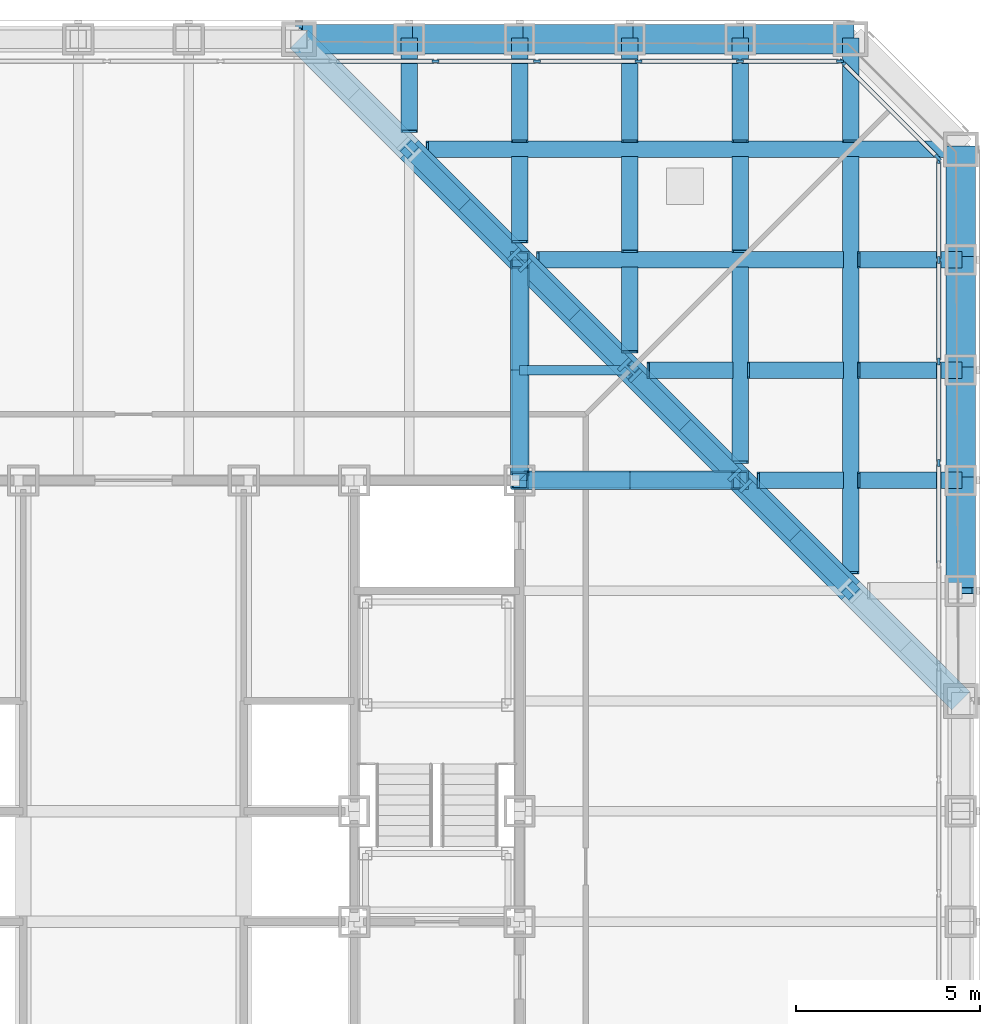
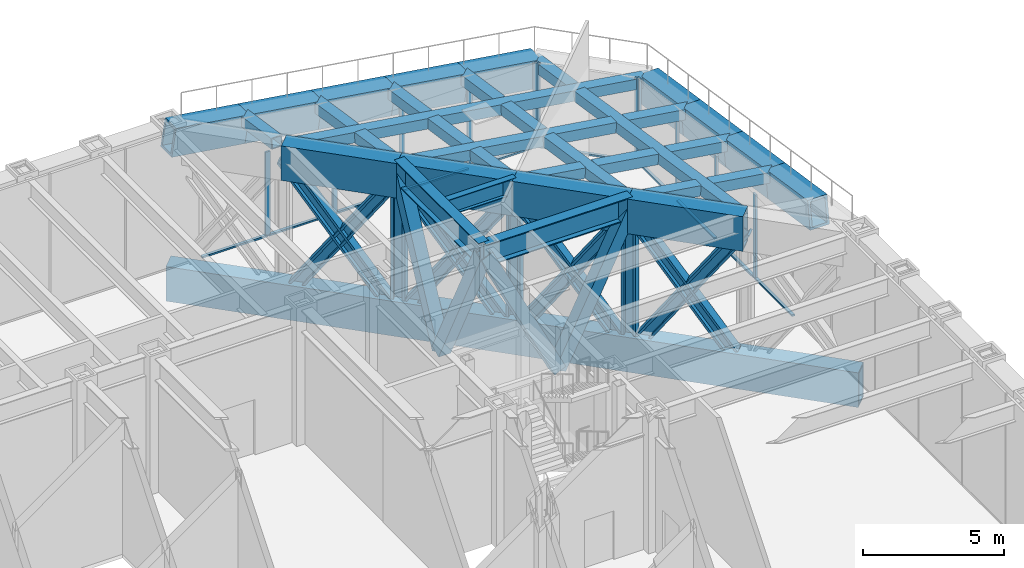
# One storey, part 10 of 31: 41 members, 31 beams, 3 elements without a shape of their own.
"""IFC4 building model written with IfcOpenShell, lengths in metres."""

from ifc_helpers import new_model, si_unit, direction, frame, origin, origin_2d, place, context, subcontext, project, spatial, rectangle, hollow_rectangle, i_section, extrude, material, layer, layer_set, material_profile, profile_set, type_object, element, aggregate, save


model = new_model("IFC4")

# Units and contexts
model_context = context("Model", 3, precision=1e-05, world=origin(), true_north=direction((0.0, 1.0)))
body_context = subcontext(model_context, "Body", "Model", "MODEL_VIEW")
ifc_project = project(units=[si_unit("LENGTHUNIT", "METRE"), si_unit("AREAUNIT", "SQUARE_METRE"), si_unit("VOLUMEUNIT", "CUBIC_METRE"), si_unit("PLANEANGLEUNIT", "RADIAN"), si_unit("MASSUNIT", "GRAM", prefix="KILO")], contexts=[model_context])

# Site, building, storey
site_placement = place(None, origin())
site = spatial("IfcSite", under=ifc_project, at=site_placement, CompositionType="ELEMENT")
building_placement = place(site_placement, origin())
building = spatial("IfcBuilding", under=site, at=building_placement, Name="Chuquiago Exchange Tower", CompositionType="ELEMENT")
storey_placement = place(building_placement, frame((0.0, 0.0, 96.300048828125)))
storey = spatial("IfcBuildingStorey", under=building, at=storey_placement, Name="L20", CompositionType="ELEMENT", Elevation=96.300048828125)

# Beam
ifc_material_1 = material(Name="Steel ASTM A992", Category="steel")
ifc_material_profile_1 = material_profile(ifc_material_1, i_section(OverallWidth=0.256591796875, OverallDepth=0.693359375, WebThickness=0.014404296875, FlangeThickness=0.023681640625, at=origin_2d()), Name="W27X114")
ifc_profile_set_1 = profile_set([ifc_material_profile_1], Name="Steel ASTM A992")
beam_type_1 = type_object("IfcBeamType", Name="B9 W27X114", PredefinedType="BEAM", material=ifc_profile_set_1)
beam_1_placement = place(storey_placement, frame((33.0, 36.0, 5.4931640625), z_axis=(1.0, 0.0, 0.0), x_axis=(0.0, 1.0, 0.0)))
element("IfcBeam", 1, at=beam_1_placement, inside=storey, type_object=beam_type_1, Name="FB-L21-corner-33_36-36_36-0", PredefinedType="BEAM", context=body_context, shape_type="SweptSolid", body=[
    extrude(i_section(OverallWidth=0.256591796875, OverallDepth=0.693359375, WebThickness=0.014404296875, FlangeThickness=0.023681640625, at=origin_2d()), origin(), (0.0, 0.0, 1.0), 3.0),
])

# Curtain wall, members
ifc_material_2 = material(Name="Aluminium curtain wall system", Category="aluminium")
ifc_layer = layer(ifc_material_2, 0.199951171875)
ifc_layer_set = layer_set([ifc_layer], Name="CW6 plant floor louvre wall")
curtain_wall_type = type_object("IfcCurtainWallType", Name="CW6 plant floor louvre wall", PredefinedType="NOTDEFINED", material=ifc_layer_set)
curtain_wall_1_placement = place(storey_placement, origin())
curtain_wall_1 = element("IfcCurtainWall", 2, at=curtain_wall_1_placement, inside=storey, type_object=curtain_wall_type, Name="CW6 curtain wall L20", PredefinedType="NOTDEFINED")
ifc_material_3 = material(Name="Aluminium mullion, pale anodised", Category="aluminium")
ifc_material_profile_2 = material_profile(ifc_material_3, rectangle(XDim=0.074951171875, YDim=0.199951171875, at=origin_2d()), Name="AL 75x200")
ifc_profile_set_2 = profile_set([ifc_material_profile_2], Name="Aluminium mullion, pale anodised")
member_type_1 = type_object("IfcMemberType", Name="CW6-M mullion 75x200", PredefinedType="MULLION", material=ifc_profile_set_2)
member_1_placement = place(storey_placement, frame((44.39990234375, 33.47265625, 0.0), z_axis=(0.0, 0.0, 1.0), x_axis=(-1.0, 0.0, 0.0)))
member_1 = element("IfcMember", 3, at=member_1_placement, type_object=member_type_1, Name="CW6 mullion 3", PredefinedType="MULLION", context=body_context, shape_type="SweptSolid", body=[
    extrude(rectangle(XDim=0.074951171875, YDim=0.199951171875, at=origin_2d()), origin(), (0.0, 0.0, 1.0), 3.66845703125),
])
member_2_placement = place(storey_placement, frame((44.39990234375, 36.232177734375, 0.0), z_axis=(0.0, 0.0, 1.0), x_axis=(-1.0, 0.0, 0.0)))
member_2 = element("IfcMember", 4, at=member_2_placement, type_object=member_type_1, Name="CW6 mullion 4", PredefinedType="MULLION", context=body_context, shape_type="SweptSolid", body=[
    extrude(rectangle(XDim=0.074951171875, YDim=0.199951171875, at=origin_2d()), origin(), (0.0, 0.0, 1.0), 3.66845703125),
])
member_3_placement = place(storey_placement, frame((44.39990234375, 38.99169921875, 0.0), z_axis=(0.0, 0.0, 1.0), x_axis=(-1.0, 0.0, 0.0)))
member_3 = element("IfcMember", 5, at=member_3_placement, type_object=member_type_1, Name="CW6 mullion 5", PredefinedType="MULLION", context=body_context, shape_type="SweptSolid", body=[
    extrude(rectangle(XDim=0.074951171875, YDim=0.199951171875, at=origin_2d()), origin(), (0.0, 0.0, 1.0), 3.66845703125),
])
member_4_placement = place(storey_placement, frame((44.39990234375, 41.7138671875, 0.0), z_axis=(0.0, 0.0, 1.0), x_axis=(-1.0, 0.0, 0.0)))
member_4 = element("IfcMember", 6, at=member_4_placement, type_object=member_type_1, Name="CW6 mullion 6", PredefinedType="MULLION", context=body_context, shape_type="SweptSolid", body=[
    extrude(rectangle(XDim=0.074951171875, YDim=0.199951171875, at=origin_2d()), origin(), (0.0, 0.0, 1.0), 3.66845703125),
])

curtain_wall_2_placement = place(storey_placement, origin())
curtain_wall_2 = element("IfcCurtainWall", 7, at=curtain_wall_2_placement, inside=storey, type_object=curtain_wall_type, Name="CW6 curtain wall L20", PredefinedType="NOTDEFINED")
member_5_placement = place(storey_placement, frame((44.37353515625, 41.778076171875, 0.0), z_axis=(0.0, 0.0, 1.0), x_axis=(-0.707106781187, -0.707106781187, 0.0)))
member_5 = element("IfcMember", 8, at=member_5_placement, type_object=member_type_1, Name="CW6 mullion 1", PredefinedType="MULLION", context=body_context, shape_type="SweptSolid", body=[
    extrude(rectangle(XDim=0.074951171875, YDim=0.199951171875, at=origin_2d()), origin(), (0.0, 0.0, 1.0), 3.66845703125),
])
member_6_placement = place(storey_placement, frame((41.778076171875, 44.37353515625, 0.0), z_axis=(0.0, 0.0, 1.0), x_axis=(-0.707106781187, -0.707106781187, 0.0)))
member_6 = element("IfcMember", 9, at=member_6_placement, type_object=member_type_1, Name="CW6 mullion 2", PredefinedType="MULLION", context=body_context, shape_type="SweptSolid", body=[
    extrude(rectangle(XDim=0.074951171875, YDim=0.199951171875, at=origin_2d()), origin(), (0.0, 0.0, 1.0), 3.66845703125),
])

curtain_wall_3_placement = place(storey_placement, origin())
curtain_wall_3 = element("IfcCurtainWall", 10, at=curtain_wall_3_placement, inside=storey, type_object=curtain_wall_type, Name="CW6 curtain wall L20", PredefinedType="NOTDEFINED")
member_7_placement = place(storey_placement, frame((41.714111328125, 44.39990234375, 0.0), z_axis=(0.0, 0.0, 1.0), x_axis=(0.0, -1.0, 0.0)))
member_7 = element("IfcMember", 11, at=member_7_placement, type_object=member_type_1, Name="CW6 mullion 1", PredefinedType="MULLION", context=body_context, shape_type="SweptSolid", body=[
    extrude(rectangle(XDim=0.074951171875, YDim=0.199951171875, at=origin_2d()), origin(), (0.0, 0.0, 1.0), 3.66845703125),
])
member_8_placement = place(storey_placement, frame((38.991943359375, 44.39990234375, 0.0), z_axis=(0.0, 0.0, 1.0), x_axis=(0.0, -1.0, 0.0)))
member_8 = element("IfcMember", 12, at=member_8_placement, type_object=member_type_1, Name="CW6 mullion 2", PredefinedType="MULLION", context=body_context, shape_type="SweptSolid", body=[
    extrude(rectangle(XDim=0.074951171875, YDim=0.199951171875, at=origin_2d()), origin(), (0.0, 0.0, 1.0), 3.66845703125),
])
member_9_placement = place(storey_placement, frame((36.232421875, 44.39990234375, 0.0), z_axis=(0.0, 0.0, 1.0), x_axis=(0.0, -1.0, 0.0)))
member_9 = element("IfcMember", 13, at=member_9_placement, type_object=member_type_1, Name="CW6 mullion 3", PredefinedType="MULLION", context=body_context, shape_type="SweptSolid", body=[
    extrude(rectangle(XDim=0.074951171875, YDim=0.199951171875, at=origin_2d()), origin(), (0.0, 0.0, 1.0), 3.66845703125),
])
member_10_placement = place(storey_placement, frame((33.47265625, 44.39990234375, 0.0), z_axis=(0.0, 0.0, 1.0), x_axis=(0.0, -1.0, 0.0)))
member_10 = element("IfcMember", 14, at=member_10_placement, type_object=member_type_1, Name="CW6 mullion 4", PredefinedType="MULLION", context=body_context, shape_type="SweptSolid", body=[
    extrude(rectangle(XDim=0.074951171875, YDim=0.199951171875, at=origin_2d()), origin(), (0.0, 0.0, 1.0), 3.66845703125),
])
member_11_placement = place(storey_placement, frame((30.713134765625, 44.39990234375, 0.0), z_axis=(0.0, 0.0, 1.0), x_axis=(0.0, -1.0, 0.0)))
member_11 = element("IfcMember", 15, at=member_11_placement, type_object=member_type_1, Name="CW6 mullion 5", PredefinedType="MULLION", context=body_context, shape_type="SweptSolid", body=[
    extrude(rectangle(XDim=0.074951171875, YDim=0.199951171875, at=origin_2d()), origin(), (0.0, 0.0, 1.0), 3.66845703125),
])

# Member
ifc_material_4 = material(Name="Aluminium transom, pale anodised", Category="aluminium")
ifc_material_profile_3 = material_profile(ifc_material_4, rectangle(XDim=0.1201171875, YDim=0.074951171875, at=origin_2d()), Name="AL 120x75")
ifc_profile_set_3 = profile_set([ifc_material_profile_3], Name="Aluminium transom, pale anodised")
member_type_2 = type_object("IfcMemberType", Name="CW6-T transom 75x120", PredefinedType="MULLION", material=ifc_profile_set_3)
member_12_placement = place(storey_placement, frame((44.39990234375, 30.75048828125, 0.037353515625), z_axis=(0.0, 1.0, 0.0), x_axis=(-1.0, 0.0, 0.0)))
member_12 = element("IfcMember", 16, at=member_12_placement, type_object=member_type_2, Name="CW6 transom 2.1", PredefinedType="MULLION", context=body_context, shape_type="SweptSolid", body=[
    extrude(rectangle(XDim=0.1201171875, YDim=0.074951171875, at=origin_2d()), origin(), (0.0, 0.0, 1.0), 2.6845703125),
])

member_13_placement = place(storey_placement, frame((44.39990234375, 33.51025390625, 0.037353515625), z_axis=(0.0, 1.0, 0.0), x_axis=(-1.0, 0.0, 0.0)))
member_13 = element("IfcMember", 17, at=member_13_placement, type_object=member_type_2, Name="CW6 transom 3.1", PredefinedType="MULLION", context=body_context, shape_type="SweptSolid", body=[
    extrude(rectangle(XDim=0.1201171875, YDim=0.074951171875, at=origin_2d()), origin(), (0.0, 0.0, 1.0), 2.6845703125),
])

member_14_placement = place(storey_placement, frame((44.39990234375, 36.269775390625, 0.037353515625), z_axis=(0.0, 1.0, 0.0), x_axis=(-1.0, 0.0, 0.0)))
member_14 = element("IfcMember", 18, at=member_14_placement, type_object=member_type_2, Name="CW6 transom 4.1", PredefinedType="MULLION", context=body_context, shape_type="SweptSolid", body=[
    extrude(rectangle(XDim=0.1201171875, YDim=0.074951171875, at=origin_2d()), origin(), (0.0, 0.0, 1.0), 2.6845703125),
])

member_15_placement = place(storey_placement, frame((44.39990234375, 39.029296875, 0.037353515625), z_axis=(0.0, 1.0, 0.0), x_axis=(-1.0, 0.0, 0.0)))
member_15 = element("IfcMember", 19, at=member_15_placement, type_object=member_type_2, Name="CW6 transom 5.1", PredefinedType="MULLION", context=body_context, shape_type="SweptSolid", body=[
    extrude(rectangle(XDim=0.1201171875, YDim=0.074951171875, at=origin_2d()), origin(), (0.0, 0.0, 1.0), 2.647216796875),
])

aggregate(curtain_wall_1, [member_1, member_2, member_3, member_4, member_12, member_13, member_14, member_15])

member_16_placement = place(storey_placement, frame((44.346923828125, 41.804443359375, 0.037353515625), z_axis=(-0.707106781187, 0.707106781187, 0.0), x_axis=(-0.707106781187, -0.707106781187, 0.0)))
member_16 = element("IfcMember", 20, at=member_16_placement, type_object=member_type_2, Name="CW6 transom 1.1", PredefinedType="MULLION", context=body_context, shape_type="SweptSolid", body=[
    extrude(rectangle(XDim=0.1201171875, YDim=0.074951171875, at=origin_2d()), origin(), (0.0, 0.0, 1.0), 3.595703125),
])

aggregate(curtain_wall_2, [member_5, member_6, member_16])

member_17_placement = place(storey_placement, frame((41.676513671875, 44.39990234375, 0.037353515625), z_axis=(-1.0, 0.0, 0.0), x_axis=(0.0, -1.0, 0.0)))
member_17 = element("IfcMember", 21, at=member_17_placement, type_object=member_type_2, Name="CW6 transom 1.1", PredefinedType="MULLION", context=body_context, shape_type="SweptSolid", body=[
    extrude(rectangle(XDim=0.1201171875, YDim=0.074951171875, at=origin_2d()), origin(), (0.0, 0.0, 1.0), 2.64697265625),
])

member_18_placement = place(storey_placement, frame((38.954345703125, 44.39990234375, 0.037353515625), z_axis=(-1.0, 0.0, 0.0), x_axis=(0.0, -1.0, 0.0)))
member_18 = element("IfcMember", 22, at=member_18_placement, type_object=member_type_2, Name="CW6 transom 2.1", PredefinedType="MULLION", context=body_context, shape_type="SweptSolid", body=[
    extrude(rectangle(XDim=0.1201171875, YDim=0.074951171875, at=origin_2d()), origin(), (0.0, 0.0, 1.0), 2.6845703125),
])

member_19_placement = place(storey_placement, frame((36.19482421875, 44.39990234375, 0.037353515625), z_axis=(-1.0, 0.0, 0.0), x_axis=(0.0, -1.0, 0.0)))
member_19 = element("IfcMember", 23, at=member_19_placement, type_object=member_type_2, Name="CW6 transom 3.1", PredefinedType="MULLION", context=body_context, shape_type="SweptSolid", body=[
    extrude(rectangle(XDim=0.1201171875, YDim=0.074951171875, at=origin_2d()), origin(), (0.0, 0.0, 1.0), 2.6845703125),
])

member_20_placement = place(storey_placement, frame((33.435302734375, 44.39990234375, 0.037353515625), z_axis=(-1.0, 0.0, 0.0), x_axis=(0.0, -1.0, 0.0)))
member_20 = element("IfcMember", 24, at=member_20_placement, type_object=member_type_2, Name="CW6 transom 4.1", PredefinedType="MULLION", context=body_context, shape_type="SweptSolid", body=[
    extrude(rectangle(XDim=0.1201171875, YDim=0.074951171875, at=origin_2d()), origin(), (0.0, 0.0, 1.0), 2.6845703125),
])

member_21_placement = place(storey_placement, frame((30.67578125, 44.39990234375, 0.037353515625), z_axis=(-1.0, 0.0, 0.0), x_axis=(0.0, -1.0, 0.0)))
member_21 = element("IfcMember", 25, at=member_21_placement, type_object=member_type_2, Name="CW6 transom 5.1", PredefinedType="MULLION", context=body_context, shape_type="SweptSolid", body=[
    extrude(rectangle(XDim=0.1201171875, YDim=0.074951171875, at=origin_2d()), origin(), (0.0, 0.0, 1.0), 2.647216796875),
])

aggregate(curtain_wall_3, [member_7, member_8, member_9, member_10, member_11, member_17, member_18, member_19, member_20, member_21])

# Beams
ifc_material_5 = material(Name="Steel ASTM A572 Grade 50", Category="steel")
ifc_material_profile_4 = material_profile(ifc_material_5, hollow_rectangle(XDim=0.800048828125, YDim=1.199951171875, WallThickness=0.10009765625, at=origin_2d()), Name="BOX1200X800X100")
ifc_profile_set_4 = profile_set([ifc_material_profile_4], Name="Steel ASTM A572 Grade 50")
beam_type_2 = type_object("IfcBeamType", Name="EB1 BOX1200X800X100", PredefinedType="BEAM", material=ifc_profile_set_4)
for number, where, z_axis, x_axis, name in (
    (26, (45.0, 30.0, 4.7490234375), (0.0, 0.98889144561, -0.148639526371), (-1.0, 0.0, 0.0), "Facet roof edge beam L20"),
    (27, (45.0, 33.0, 4.298095703125), (0.0, 0.98889144561, -0.148639526371), (-1.0, 0.0, 0.0), "Facet roof edge beam L20"),
    (28, (45.0, 36.0, 3.84716796875), (0.0, 0.98889144561, -0.148639526371), (-1.0, 0.0, 0.0), "Facet roof edge beam L20"),
    (29, (45.0, 39.0, 3.396240234375), (0.0, 0.988903271683, -0.148560826784), (-1.0, 0.0, 0.0), "Facet roof edge beam L20"),
    (30, (42.0, 45.0, 2.945556640625), (-0.988903271683, 0.0, 0.148560826784), (0.0, -1.0, 0.0), "Facet roof edge beam L20"),
    (31, (39.0, 45.0, 3.396240234375), (-0.98889144561, 0.0, 0.148639526371), (0.0, -1.0, 0.0), "Facet roof edge beam L20"),
    (32, (36.0, 45.0, 3.84716796875), (-0.98889144561, 0.0, 0.148639526371), (0.0, -1.0, 0.0), "Facet roof edge beam L20"),
    (33, (33.0, 45.0, 4.298095703125), (-0.98889144561, 0.0, 0.148639526371), (0.0, -1.0, 0.0), "Facet roof edge beam L20"),
    (34, (30.0, 45.0, 4.7490234375), (-0.98889144561, 0.0, 0.148639526371), (0.0, -1.0, 0.0), "Facet roof edge beam L20"),
):
    element("IfcBeam", number, at=place(storey_placement, frame(where, z_axis=z_axis, x_axis=x_axis)), inside=storey, type_object=beam_type_2, Name=name, PredefinedType="BEAM", context=body_context, shape_type="SweptSolid", body=[
        extrude(hollow_rectangle(XDim=0.800048828125, YDim=1.199951171875, WallThickness=0.10009765625, at=origin_2d()), origin(), (0.0, 0.0, 1.0), 3.03369140625),
    ])
ifc_material_6 = material(Name="Steel ASTM A572 Grade 50", Category="steel")
ifc_material_profile_5 = material_profile(ifc_material_6, hollow_rectangle(XDim=0.449951171875, YDim=0.449951171875, WallThickness=0.034912109375, at=origin_2d()), Name="BOX450X450X35")
ifc_profile_set_5 = profile_set([ifc_material_profile_5], Name="Steel ASTM A572 Grade 50")
beam_type_3 = type_object("IfcBeamType", Name="FR1 BOX450X450X35", PredefinedType="BEAM", material=ifc_profile_set_5)
beam_2_placement = place(storey_placement, frame((42.0, 30.492919921875, 5.464599609375), z_axis=(0.0, 0.988891258488, -0.148640771277), x_axis=(-1.0, 0.0, 0.0)))
element("IfcBeam", 35, at=beam_2_placement, inside=storey, type_object=beam_type_3, Name="Facet roof rafter L20", PredefinedType="BEAM", context=body_context, shape_type="SweptSolid", body=[
    extrude(hollow_rectangle(XDim=0.449951171875, YDim=0.449951171875, WallThickness=0.034912109375, at=origin_2d()), origin(), (0.0, 0.0, 1.0), 11.40869140625),
])
beam_3_placement = place(storey_placement, frame((42.0, 42.22509765625, 3.701171875), z_axis=(0.0, 0.988896750706, -0.148604227539), x_axis=(-1.0, 0.0, 0.0)))
element("IfcBeam", 36, at=beam_3_placement, inside=storey, type_object=beam_type_3, Name="Facet roof rafter L20", PredefinedType="BEAM", context=body_context, shape_type="SweptSolid", body=[
    extrude(hollow_rectangle(XDim=0.449951171875, YDim=0.449951171875, WallThickness=0.034912109375, at=origin_2d()), origin(), (0.0, 0.0, 1.0), 2.80615234375),
])
beam_4_placement = place(storey_placement, frame((39.492919921875, 33.0, 5.464599609375), z_axis=(0.988890520477, 0.0, -0.148645681103), x_axis=(0.0, 1.0, 0.0)))
element("IfcBeam", 37, at=beam_4_placement, inside=storey, type_object=beam_type_3, Name="Facet roof rafter L20", PredefinedType="BEAM", context=body_context, shape_type="SweptSolid", body=[
    extrude(hollow_rectangle(XDim=0.449951171875, YDim=0.449951171875, WallThickness=0.034912109375, at=origin_2d()), origin(), (0.0, 0.0, 1.0), 2.3076171875),
])
beam_5_placement = place(storey_placement, frame((42.22509765625, 33.0, 5.053955078125), z_axis=(0.988896750706, 0.0, -0.148604227539), x_axis=(0.0, 1.0, 0.0)))
element("IfcBeam", 38, at=beam_5_placement, inside=storey, type_object=beam_type_3, Name="Facet roof rafter L20", PredefinedType="BEAM", context=body_context, shape_type="SweptSolid", body=[
    extrude(hollow_rectangle(XDim=0.449951171875, YDim=0.449951171875, WallThickness=0.034912109375, at=origin_2d()), origin(), (0.0, 0.0, 1.0), 2.80615234375),
])
beam_6_placement = place(storey_placement, frame((39.0, 33.492919921875, 5.464599609375), z_axis=(0.0, 0.988891045928, -0.148642185411), x_axis=(-1.0, 0.0, 0.0)))
element("IfcBeam", 39, at=beam_6_placement, inside=storey, type_object=beam_type_3, Name="Facet roof rafter L20", PredefinedType="BEAM", context=body_context, shape_type="SweptSolid", body=[
    extrude(hollow_rectangle(XDim=0.449951171875, YDim=0.449951171875, WallThickness=0.034912109375, at=origin_2d()), origin(), (0.0, 0.0, 1.0), 5.34130859375),
])
beam_7_placement = place(storey_placement, frame((39.0, 39.22509765625, 4.60302734375), z_axis=(0.0, 0.988889076053, -0.148655290062), x_axis=(-1.0, 0.0, 0.0)))
element("IfcBeam", 40, at=beam_7_placement, inside=storey, type_object=beam_type_3, Name="Facet roof rafter L20", PredefinedType="BEAM", context=body_context, shape_type="SweptSolid", body=[
    extrude(hollow_rectangle(XDim=0.449951171875, YDim=0.449951171875, WallThickness=0.034912109375, at=origin_2d()), origin(), (0.0, 0.0, 1.0), 2.578369140625),
])
beam_8_placement = place(storey_placement, frame((39.0, 42.22509765625, 4.152099609375), z_axis=(0.0, 0.988896750706, -0.148604227539), x_axis=(-1.0, 0.0, 0.0)))
element("IfcBeam", 41, at=beam_8_placement, inside=storey, type_object=beam_type_3, Name="Facet roof rafter L20", PredefinedType="BEAM", context=body_context, shape_type="SweptSolid", body=[
    extrude(hollow_rectangle(XDim=0.449951171875, YDim=0.449951171875, WallThickness=0.034912109375, at=origin_2d()), origin(), (0.0, 0.0, 1.0), 2.80615234375),
])
beam_9_placement = place(storey_placement, frame((36.492919921875, 36.0, 5.464599609375), z_axis=(0.988890520477, 0.0, -0.148645681103), x_axis=(0.0, 1.0, 0.0)))
element("IfcBeam", 42, at=beam_9_placement, inside=storey, type_object=beam_type_3, Name="Facet roof rafter L20", PredefinedType="BEAM", context=body_context, shape_type="SweptSolid", body=[
    extrude(hollow_rectangle(XDim=0.449951171875, YDim=0.449951171875, WallThickness=0.034912109375, at=origin_2d()), origin(), (0.0, 0.0, 1.0), 2.3076171875),
])
beam_10_placement = place(storey_placement, frame((39.22509765625, 36.0, 5.053955078125), z_axis=(0.988889076053, 0.0, -0.148655290062), x_axis=(0.0, 1.0, 0.0)))
element("IfcBeam", 43, at=beam_10_placement, inside=storey, type_object=beam_type_3, Name="Facet roof rafter L20", PredefinedType="BEAM", context=body_context, shape_type="SweptSolid", body=[
    extrude(hollow_rectangle(XDim=0.449951171875, YDim=0.449951171875, WallThickness=0.034912109375, at=origin_2d()), origin(), (0.0, 0.0, 1.0), 2.578369140625),
])
beam_11_placement = place(storey_placement, frame((42.22509765625, 36.0, 4.60302734375), z_axis=(0.988896750706, 0.0, -0.148604227539), x_axis=(0.0, 1.0, 0.0)))
element("IfcBeam", 44, at=beam_11_placement, inside=storey, type_object=beam_type_3, Name="Facet roof rafter L20", PredefinedType="BEAM", context=body_context, shape_type="SweptSolid", body=[
    extrude(hollow_rectangle(XDim=0.449951171875, YDim=0.449951171875, WallThickness=0.034912109375, at=origin_2d()), origin(), (0.0, 0.0, 1.0), 2.80615234375),
])
beam_12_placement = place(storey_placement, frame((36.0, 36.492919921875, 5.464599609375), z_axis=(0.0, 0.988890520477, -0.148645681103), x_axis=(-1.0, 0.0, 0.0)))
element("IfcBeam", 45, at=beam_12_placement, inside=storey, type_object=beam_type_3, Name="Facet roof rafter L20", PredefinedType="BEAM", context=body_context, shape_type="SweptSolid", body=[
    extrude(hollow_rectangle(XDim=0.449951171875, YDim=0.449951171875, WallThickness=0.034912109375, at=origin_2d()), origin(), (0.0, 0.0, 1.0), 2.3076171875),
])
beam_13_placement = place(storey_placement, frame((36.0, 39.22509765625, 5.053955078125), z_axis=(0.0, 0.988889076053, -0.148655290062), x_axis=(-1.0, 0.0, 0.0)))
element("IfcBeam", 46, at=beam_13_placement, inside=storey, type_object=beam_type_3, Name="Facet roof rafter L20", PredefinedType="BEAM", context=body_context, shape_type="SweptSolid", body=[
    extrude(hollow_rectangle(XDim=0.449951171875, YDim=0.449951171875, WallThickness=0.034912109375, at=origin_2d()), origin(), (0.0, 0.0, 1.0), 2.578369140625),
])
beam_14_placement = place(storey_placement, frame((36.0, 42.22509765625, 4.60302734375), z_axis=(0.0, 0.988896750706, -0.148604227539), x_axis=(-1.0, 0.0, 0.0)))
element("IfcBeam", 47, at=beam_14_placement, inside=storey, type_object=beam_type_3, Name="Facet roof rafter L20", PredefinedType="BEAM", context=body_context, shape_type="SweptSolid", body=[
    extrude(hollow_rectangle(XDim=0.449951171875, YDim=0.449951171875, WallThickness=0.034912109375, at=origin_2d()), origin(), (0.0, 0.0, 1.0), 2.80615234375),
])
beam_15_placement = place(storey_placement, frame((33.492919921875, 39.0, 5.464599609375), z_axis=(0.988891190706, 0.0, -0.148641222221), x_axis=(0.0, 1.0, 0.0)))
element("IfcBeam", 48, at=beam_15_placement, inside=storey, type_object=beam_type_3, Name="Facet roof rafter L20", PredefinedType="BEAM", context=body_context, shape_type="SweptSolid", body=[
    extrude(hollow_rectangle(XDim=0.449951171875, YDim=0.449951171875, WallThickness=0.034912109375, at=origin_2d()), origin(), (0.0, 0.0, 1.0), 8.375),
])
beam_16_placement = place(storey_placement, frame((42.22509765625, 39.0, 4.152099609375), z_axis=(0.988896750706, 0.0, -0.148604227539), x_axis=(0.0, 1.0, 0.0)))
element("IfcBeam", 49, at=beam_16_placement, inside=storey, type_object=beam_type_3, Name="Facet roof rafter L20", PredefinedType="BEAM", context=body_context, shape_type="SweptSolid", body=[
    extrude(hollow_rectangle(XDim=0.449951171875, YDim=0.449951171875, WallThickness=0.034912109375, at=origin_2d()), origin(), (0.0, 0.0, 1.0), 2.80615234375),
])
beam_17_placement = place(storey_placement, frame((33.0, 39.492919921875, 5.464599609375), z_axis=(0.0, 0.988890520477, -0.148645681103), x_axis=(-1.0, 0.0, 0.0)))
element("IfcBeam", 50, at=beam_17_placement, inside=storey, type_object=beam_type_3, Name="Facet roof rafter L20", PredefinedType="BEAM", context=body_context, shape_type="SweptSolid", body=[
    extrude(hollow_rectangle(XDim=0.449951171875, YDim=0.449951171875, WallThickness=0.034912109375, at=origin_2d()), origin(), (0.0, 0.0, 1.0), 2.3076171875),
])
beam_18_placement = place(storey_placement, frame((33.0, 42.22509765625, 5.053955078125), z_axis=(0.0, 0.988896750706, -0.148604227539), x_axis=(-1.0, 0.0, 0.0)))
element("IfcBeam", 51, at=beam_18_placement, inside=storey, type_object=beam_type_3, Name="Facet roof rafter L20", PredefinedType="BEAM", context=body_context, shape_type="SweptSolid", body=[
    extrude(hollow_rectangle(XDim=0.449951171875, YDim=0.449951171875, WallThickness=0.034912109375, at=origin_2d()), origin(), (0.0, 0.0, 1.0), 2.80615234375),
])
beam_19_placement = place(storey_placement, frame((30.492919921875, 42.0, 5.464599609375), z_axis=(0.988892731381, 0.0, -0.148630971945), x_axis=(0.0, 1.0, 0.0)))
element("IfcBeam", 52, at=beam_19_placement, inside=storey, type_object=beam_type_3, Name="Facet roof rafter L20", PredefinedType="BEAM", context=body_context, shape_type="SweptSolid", body=[
    extrude(hollow_rectangle(XDim=0.449951171875, YDim=0.449951171875, WallThickness=0.034912109375, at=origin_2d()), origin(), (0.0, 0.0, 1.0), 14.669921875),
])
beam_20_placement = place(storey_placement, frame((30.0, 42.492919921875, 5.464599609375), z_axis=(0.0, 0.988884730107, -0.148684197418), x_axis=(-1.0, 0.0, 0.0)))
element("IfcBeam", 53, at=beam_20_placement, inside=storey, type_object=beam_type_3, Name="Facet roof rafter L20", PredefinedType="BEAM", context=body_context, shape_type="SweptSolid", body=[
    extrude(hollow_rectangle(XDim=0.449951171875, YDim=0.449951171875, WallThickness=0.034912109375, at=origin_2d()), origin(), (0.0, 0.0, 1.0), 2.53515625),
])
ifc_material_7 = material(Name="Steel ASTM A992", Category="steel")
ifc_material_profile_6 = material_profile(ifc_material_7, i_section(OverallWidth=0.424072265625, OverallDepth=0.947509765625, WebThickness=0.02392578125, FlangeThickness=0.042724609375, at=origin_2d()), Name="W36X302")
ifc_profile_set_6 = profile_set([ifc_material_profile_6], Name="Steel ASTM A992")
beam_type_4 = type_object("IfcBeamType", Name="G4 W36X302", PredefinedType="BEAM", material=ifc_profile_set_6)
for number, where, z_axis, x_axis, name in (
    (54, (33.0, 33.0, 5.3662109375), (0.0, 1.0, 0.0), (-1.0, 0.0, 0.0), "FB-L21-girder-33_33-33_39-0"),
    (55, (33.0, 33.0, 5.3662109375), (1.0, 0.0, 0.0), (0.0, 1.0, 0.0), "FB-L21-girder-33_33-39_33-0"),
):
    element("IfcBeam", number, at=place(storey_placement, frame(where, z_axis=z_axis, x_axis=x_axis)), inside=storey, type_object=beam_type_4, Name=name, PredefinedType="BEAM", context=body_context, shape_type="SweptSolid", body=[
        extrude(i_section(OverallWidth=0.424072265625, OverallDepth=0.947509765625, WebThickness=0.02392578125, FlangeThickness=0.042724609375, at=origin_2d()), origin(), (0.0, 0.0, 1.0), 6.0),
    ])

# Members
ifc_material_8 = material(Name="Steel ASTM A572 Grade 50", Category="steel")
ifc_material_profile_7 = material_profile(ifc_material_8, hollow_rectangle(XDim=0.5, YDim=0.5, WallThickness=0.0400390625, at=origin_2d()), Name="BOX500X500X40")
ifc_profile_set_7 = profile_set([ifc_material_profile_7], Name="Steel ASTM A572 Grade 50")
member_type_3 = type_object("IfcMemberType", Name="OT1 BOX500X500X40", PredefinedType="BRACE", material=ifc_profile_set_7)
for number, where, z_axis, x_axis, name in (
    (56, (33.0, 33.0, 5.3662109375), (0.0, 0.4472135955, -0.894427191), (-1.0, 0.0, 0.0), "Outrigger diagonal L20"),
    (57, (33.0, 36.0, -0.6337890625), (0.0, 0.4472135955, 0.894427191), (-1.0, 0.0, 0.0), "Outrigger diagonal L20"),
    (58, (33.0, 33.0, 5.3662109375), (0.4472135955, 0.0, -0.894427191), (0.0, 1.0, 0.0), "Outrigger diagonal L20"),
    (59, (36.0, 33.0, -0.6337890625), (0.4472135955, 0.0, 0.894427191), (0.0, 1.0, 0.0), "Outrigger diagonal L20"),
):
    element("IfcMember", number, at=place(storey_placement, frame(where, z_axis=z_axis, x_axis=x_axis)), inside=storey, type_object=member_type_3, Name=name, PredefinedType="BRACE", context=body_context, shape_type="SweptSolid", body=[
        extrude(hollow_rectangle(XDim=0.5, YDim=0.5, WallThickness=0.0400390625, at=origin_2d()), origin(), (0.0, 0.0, 1.0), 6.708251953125),
    ])
ifc_material_9 = material(Name="Steel ASTM A572 Grade 50", Category="steel")
ifc_material_profile_8 = material_profile(ifc_material_9, hollow_rectangle(XDim=0.699951171875, YDim=1.5, WallThickness=0.080078125, at=origin_2d()), Name="BOX1500X700X80")
ifc_profile_set_8 = profile_set([ifc_material_profile_8], Name="Steel ASTM A572 Grade 50")
member_type_4 = type_object("IfcMemberType", Name="TT1 BOX1500X700X80", PredefinedType="CHORD", material=ifc_profile_set_8)
for number, where, z_axis, x_axis, name in (
    (60, (42.0, 30.0, 5.08984375), (-0.707106781187, 0.707106781187, 0.0), (-0.707106781187, -0.707106781187, 0.0), "Transfer truss L20 NE top chord"),
    (61, (39.0, 33.0, 5.08984375), (-0.707106781187, 0.707106781187, 0.0), (-0.707106781187, -0.707106781187, 0.0), "Transfer truss L20 NE top chord"),
    (62, (36.0, 36.0, 5.08984375), (-0.707106781187, 0.707106781187, 0.0), (-0.707106781187, -0.707106781187, 0.0), "Transfer truss L20 NE top chord"),
    (63, (33.0, 39.0, 5.08984375), (-0.707106781187, 0.707106781187, 0.0), (-0.707106781187, -0.707106781187, 0.0), "Transfer truss L20 NE top chord"),
):
    element("IfcMember", number, at=place(storey_placement, frame(where, z_axis=z_axis, x_axis=x_axis)), inside=storey, type_object=member_type_4, Name=name, PredefinedType="CHORD", context=body_context, shape_type="SweptSolid", body=[
        extrude(hollow_rectangle(XDim=0.699951171875, YDim=1.5, WallThickness=0.080078125, at=origin_2d()), origin(), (0.0, 0.0, 1.0), 4.24267578125),
    ])
member_22_placement = place(storey_placement, frame((45.0, 27.0, -0.91015625), z_axis=(-0.707106781187, 0.707106781187, 0.0), x_axis=(-0.707106781187, -0.707106781187, 0.0)))
element("IfcMember", 64, at=member_22_placement, inside=storey, type_object=member_type_4, Name="Transfer truss L20 NE bottom chord", PredefinedType="CHORD", context=body_context, shape_type="SweptSolid", body=[
    extrude(hollow_rectangle(XDim=0.699951171875, YDim=1.5, WallThickness=0.080078125, at=origin_2d()), origin(), (0.0, 0.0, 1.0), 25.455810546875),
])
ifc_material_10 = material(Name="Steel ASTM A992", Category="steel")
ifc_material_profile_9 = material_profile(ifc_material_10, i_section(OverallWidth=0.44189453125, OverallDepth=0.53076171875, WebThickness=0.06591796875, FlangeThickness=0.105712890625, at=origin_2d()), Name="W14X605")
ifc_profile_set_9 = profile_set([ifc_material_profile_9], Name="Steel ASTM A992")
member_type_5 = type_object("IfcMemberType", Name="TT2 W14X605", PredefinedType="STRUT", material=ifc_profile_set_9)
for number, where, z_axis, x_axis, name in (
    (65, (39.0, 33.0, -0.91015625), (0.0, 0.0, 1.0), (0.707106781187, 0.707106781187, 0.0), "Transfer truss L20 NE post"),
    (66, (36.0, 36.0, -0.91015625), (0.0, 0.0, 1.0), (0.707106781187, 0.707106781187, 0.0), "Transfer truss L20 NE post"),
    (67, (33.0, 39.0, -0.91015625), (0.0, 0.0, 1.0), (0.707106781187, 0.707106781187, 0.0), "Transfer truss L20 NE post"),
):
    element("IfcMember", number, at=place(storey_placement, frame(where, z_axis=z_axis, x_axis=x_axis)), inside=storey, type_object=member_type_5, Name=name, PredefinedType="STRUT", context=body_context, shape_type="SweptSolid", body=[
        extrude(i_section(OverallWidth=0.44189453125, OverallDepth=0.53076171875, WebThickness=0.06591796875, FlangeThickness=0.105712890625, at=origin_2d()), origin(), (0.0, 0.0, 1.0), 6.0),
    ])
ifc_material_11 = material(Name="Steel ASTM A992", Category="steel")
ifc_material_profile_10 = material_profile(ifc_material_11, i_section(OverallWidth=0.431884765625, OverallDepth=0.497802734375, WebThickness=0.0556640625, FlangeThickness=0.0888671875, at=origin_2d()), Name="W14X500")
ifc_profile_set_10 = profile_set([ifc_material_profile_10], Name="Steel ASTM A992")
member_type_6 = type_object("IfcMemberType", Name="TT3 W14X500", PredefinedType="BRACE", material=ifc_profile_set_10)
for number, where, z_axis, x_axis, name in (
    (68, (39.0, 33.0, -0.91015625), (0.408248290464, -0.408248290464, 0.816496580928), (0.707106781187, 0.707106781187, 0.0), "Transfer truss L20 NE diagonal"),
    (69, (42.0, 30.0, -0.91015625), (-0.408248290464, 0.408248290464, 0.816496580928), (-0.707106781187, -0.707106781187, 0.0), "Transfer truss L20 NE counter-diagonal"),
    (70, (39.0, 33.0, -0.91015625), (-0.408248290464, 0.408248290464, 0.816496580928), (-0.707106781187, -0.707106781187, 0.0), "Transfer truss L20 NE diagonal"),
    (71, (36.0, 36.0, -0.91015625), (0.408248290464, -0.408248290464, 0.816496580928), (0.707106781187, 0.707106781187, 0.0), "Transfer truss L20 NE counter-diagonal"),
    (72, (33.0, 39.0, -0.91015625), (0.408248290464, -0.408248290464, 0.816496580928), (0.707106781187, 0.707106781187, 0.0), "Transfer truss L20 NE diagonal"),
    (73, (36.0, 36.0, -0.91015625), (-0.408248290464, 0.408248290464, 0.816496580928), (-0.707106781187, -0.707106781187, 0.0), "Transfer truss L20 NE counter-diagonal"),
    (74, (33.0, 39.0, -0.91015625), (-0.408248290464, 0.408248290464, 0.816496580928), (-0.707106781187, -0.707106781187, 0.0), "Transfer truss L20 NE diagonal"),
    (75, (30.0, 42.0, -0.91015625), (0.408248290464, -0.408248290464, 0.816496580928), (0.707106781187, 0.707106781187, 0.0), "Transfer truss L20 NE counter-diagonal"),
):
    element("IfcMember", number, at=place(storey_placement, frame(where, z_axis=z_axis, x_axis=x_axis)), inside=storey, type_object=member_type_6, Name=name, PredefinedType="BRACE", context=body_context, shape_type="SweptSolid", body=[
        extrude(i_section(OverallWidth=0.431884765625, OverallDepth=0.497802734375, WebThickness=0.0556640625, FlangeThickness=0.0888671875, at=origin_2d()), origin(), (0.0, 0.0, 1.0), 7.348388671875),
    ])

save(model, "model.ifc")
